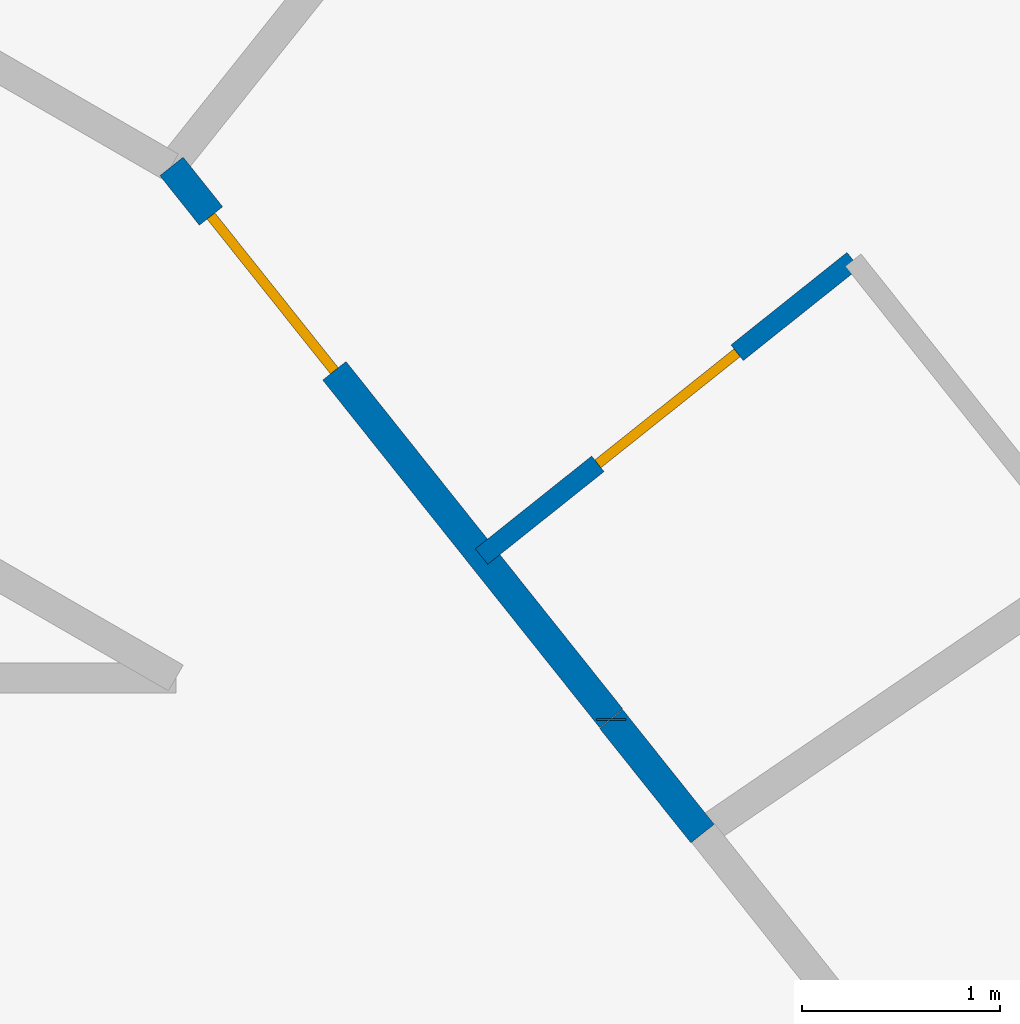
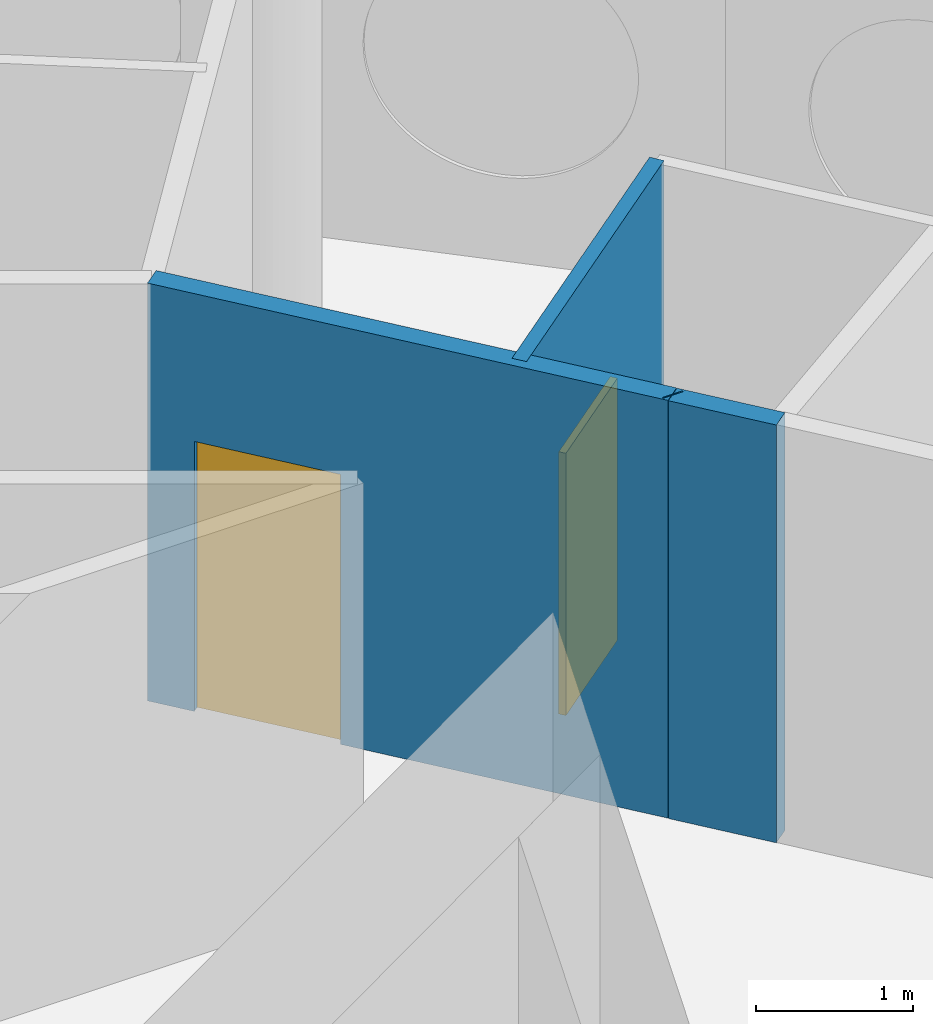
# One storey, part 8 of 12: 4 walls, 2 doors, 2 openings.
"""IFC4 building model written with IfcOpenShell, lengths in metres."""

from ifc_helpers import new_model, si_unit, direction, frame, frame_2d, origin, place, context, subcontext, project, spatial, rectangle, extrude, material, layer, layer_set, type_object, element, fill, save


model = new_model("IFC4")

# Units and contexts
model_context = context("Model", 3, precision=1e-05, world=origin(), true_north=direction((0.0, 1.0)))
body_context = subcontext(model_context, "Body", "Model", "MODEL_VIEW")
ifc_project = project(units=[si_unit("LENGTHUNIT", "METRE"), si_unit("AREAUNIT", "SQUARE_METRE"), si_unit("VOLUMEUNIT", "CUBIC_METRE"), si_unit("PLANEANGLEUNIT", "RADIAN"), si_unit("MASSUNIT", "GRAM", prefix="KILO")], contexts=[model_context])

# Site, building, storey
site_placement = place(None, origin())
site = spatial("IfcSite", under=ifc_project, at=site_placement, CompositionType="ELEMENT")
building_placement = place(site_placement, origin())
building = spatial("IfcBuilding", under=site, at=building_placement, Name="Tracery Tower", CompositionType="ELEMENT")
storey_placement = place(building_placement, frame((0.0, 0.0, 312.60009765625)))
storey = spatial("IfcBuildingStorey", under=building, at=storey_placement, Name="L81", CompositionType="ELEMENT", Elevation=312.60009765625)

# Wall, opening, door
ifc_material_1 = material(Name="Plasterboard on steel studs", Category="steel")
ifc_layer_1 = layer(ifc_material_1, 0.10009765625)
ifc_layer_set_1 = layer_set([ifc_layer_1], Name="Partition 100 wet wall")
wall_type_1 = type_object("IfcWallType", Name="Partition 100 wet wall", PredefinedType="PARTITIONING", material=ifc_layer_set_1)
wall_1_placement = place(storey_placement, frame((10.64501953125, 9.4130859375, 0.0), z_axis=(0.0, 0.0, 1.0), x_axis=(0.781830263661, 0.623491330191, 0.0)))
wall_1 = element("IfcWall", 1, at=wall_1_placement, inside=storey, type_object=wall_type_1, Name="Wet wall RC8-052", PredefinedType="PARTITIONING", context=body_context, shape_type="SweptSolid", body=[
    extrude(rectangle(XDim=2.400634765625, YDim=0.10009765625, at=frame_2d((1.2001953125, 0.0))), origin(), (0.0, 0.0, 1.0), 3.25),
])
opening_1_placement = place(wall_1_placement, frame((0.7509765625, 0.0, 0.0)))
opening_1 = element("IfcOpeningElement", 2, at=opening_1_placement, cuts=wall_1, Name="Opening RC8-08", PredefinedType="OPENING", context=body_context, shape_type="SweptSolid", body=[
    extrude(rectangle(XDim=0.89990234375, YDim=2.0400390625, at=frame_2d((0.449951171875, 1.02001953125))), frame((0.0, 0.050048828125, 0.0), z_axis=(0.0, -1.0, 0.0), x_axis=(1.0, 0.0, 0.0)), (0.0, 0.0, 1.0), 0.10009765625),
])
ifc_material_2 = material(Name="Timber door leaf", Category="wood")
door_type_1 = type_object("IfcDoorType", Name="Door en-suite 900", OperationType="NOTDEFINED", PredefinedType="DOOR", material=ifc_material_2)
door_1_placement = place(opening_1_placement, origin())
door_1 = element("IfcDoor", 3, at=door_1_placement, inside=storey, type_object=door_type_1, Name="En-suite door RC8-08", OperationType="SINGLE_SWING_LEFT", OverallHeight=2.0400390625, OverallWidth=0.89990234375, PredefinedType="DOOR", context=body_context, shape_type="SweptSolid", body=[
    extrude(rectangle(XDim=0.89990234375, YDim=2.0400390625, at=frame_2d((0.449951171875, 1.02001953125))), frame((0.0, 0.02490234375, 0.0), z_axis=(0.0, -1.0, 0.0), x_axis=(1.0, 0.0, 0.0)), (0.0, 0.0, 1.0), 0.050048828125),
])
fill(opening_1, door_1)

ifc_material_3 = material(Name="Plasterboard on steel studs", Category="steel")
ifc_layer_2 = layer(ifc_material_3, 0.14990234375)
ifc_layer_set_2 = layer_set([ifc_layer_2], Name="Partition 150 corridor wall")
wall_type_2 = type_object("IfcWallType", Name="Partition 150 corridor wall", PredefinedType="PARTITIONING", material=ifc_layer_set_2)
wall_2_placement = place(storey_placement, frame((9.0791015625, 11.383544921875, 0.0), z_axis=(0.0, 0.0, 1.0), x_axis=(0.623165080354, -0.782090328944, 0.0)))
wall_2 = element("IfcWall", 4, at=wall_2_placement, inside=storey, type_object=wall_type_2, Name="Corridor wall RC8-005", PredefinedType="PARTITIONING", context=body_context, shape_type="SweptSolid", body=[
    extrude(rectangle(XDim=3.56396484375, YDim=0.14990234375, at=frame_2d((1.781982421875, 0.0))), origin(), (0.0, 0.0, 1.0), 3.25),
])
opening_2_placement = place(wall_2_placement, frame((0.320068359375, 0.0, 0.0)))
opening_2 = element("IfcOpeningElement", 5, at=opening_2_placement, cuts=wall_2, Name="Opening RC8-09", PredefinedType="OPENING", context=body_context, shape_type="SweptSolid", body=[
    extrude(rectangle(XDim=1.0, YDim=2.10009765625, at=frame_2d((0.5, 1.050048828125))), frame((0.0, 0.074951171875, 0.0), z_axis=(0.0, -1.0, 0.0), x_axis=(1.0, 0.0, 0.0)), (0.0, 0.0, 1.0), 0.14990234375),
])
ifc_material_4 = material(Name="Timber door leaf", Category="wood")
door_type_2 = type_object("IfcDoorType", Name="Door unit entrance 1000", OperationType="NOTDEFINED", PredefinedType="DOOR", material=ifc_material_4)
door_2_placement = place(opening_2_placement, origin())
door_2 = element("IfcDoor", 6, at=door_2_placement, inside=storey, type_object=door_type_2, Name="Unit entrance door RC8-09", OperationType="SINGLE_SWING_LEFT", OverallHeight=2.10009765625, OverallWidth=1.0, PredefinedType="DOOR", context=body_context, shape_type="SweptSolid", body=[
    extrude(rectangle(XDim=1.0, YDim=2.10009765625, at=frame_2d((0.5, 1.050048828125))), frame((0.0, 0.02490234375, 0.0), z_axis=(0.0, -1.0, 0.0), x_axis=(1.0, 0.0, 0.0)), (0.0, 0.0, 1.0), 0.050048828125),
])
fill(opening_2, door_2)

# Walls
wall_3_placement = place(storey_placement, frame((11.300048828125, 8.5859375, 0.0), z_axis=(0.0, 0.0, 1.0), x_axis=(0.0, 1.0, 0.0)))
element("IfcWall", 7, at=wall_3_placement, inside=storey, type_object=wall_type_2, Name="Corridor wall RC8-007", PredefinedType="PARTITIONING", context=body_context, shape_type="SweptSolid", body=[
    extrude(rectangle(XDim=0.01025390625, YDim=0.14990234375, at=frame_2d((0.005126953125, 0.0))), origin(), (0.0, 0.0, 1.0), 3.25),
])
wall_4_placement = place(storey_placement, frame((11.300048828125, 8.592041015625, 0.0), z_axis=(0.0, 0.0, 1.0), x_axis=(0.623405636383, -0.781898594785, 0.0)))
element("IfcWall", 8, at=wall_4_placement, inside=storey, type_object=wall_type_2, Name="Corridor wall RC8-022", PredefinedType="PARTITIONING", context=body_context, shape_type="SweptSolid", body=[
    extrude(rectangle(XDim=0.739501953125, YDim=0.14990234375, at=frame_2d((0.36962890625, 0.0))), origin(), (0.0, 0.0, 1.0), 3.25),
])

save(model, "model.ifc")
